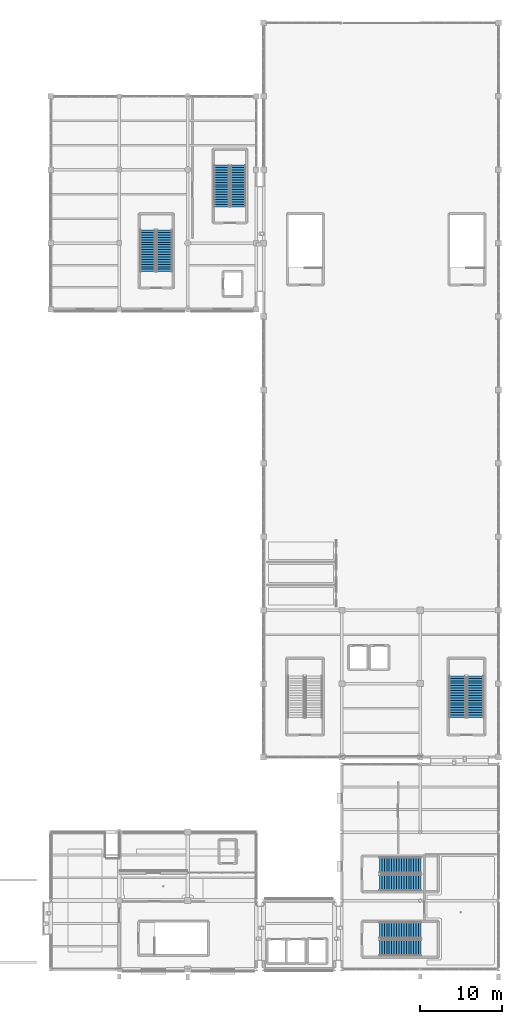
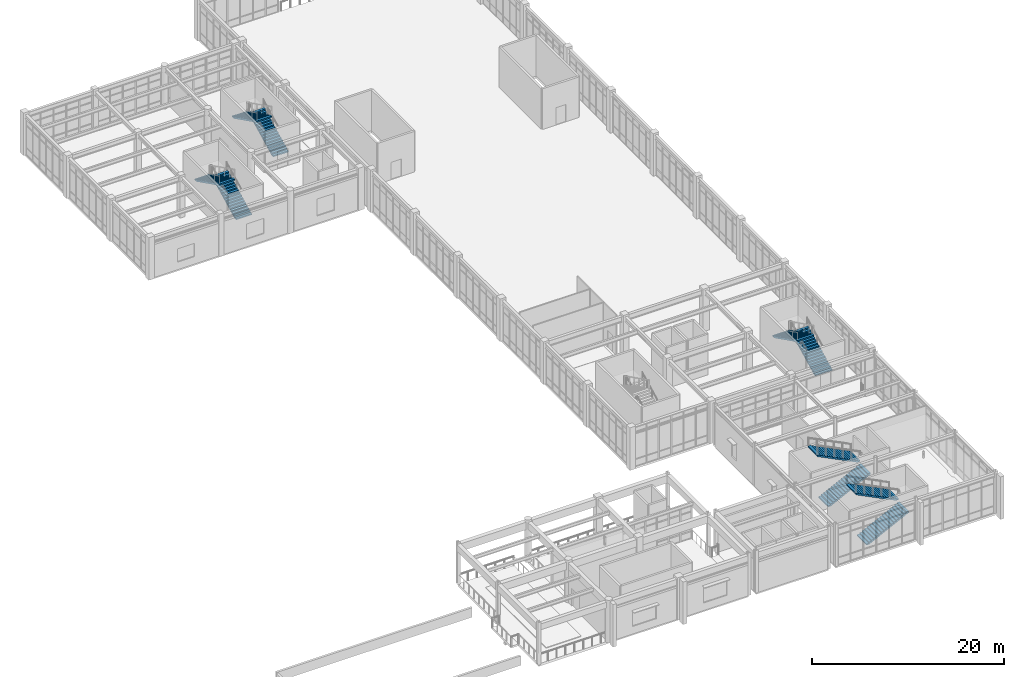
# One storey, part 68 of 80: 10 stair flights, 5 elements without a shape of their own.
"""IFC4 building model written with IfcOpenShell, lengths in metres."""

from ifc_helpers import new_model, si_unit, direction, frame, origin, place, context, subcontext, project, spatial, polyline, outline, extrude, material, layer, layer_set, type_object, element, aggregate, save


model = new_model("IFC4")

# Units and contexts
model_context = context("Model", 3, precision=1e-05, world=origin(), true_north=direction((0.0, 1.0)))
body_context = subcontext(model_context, "Body", "Model", "MODEL_VIEW")
ifc_project = project(units=[si_unit("LENGTHUNIT", "METRE"), si_unit("AREAUNIT", "SQUARE_METRE"), si_unit("VOLUMEUNIT", "CUBIC_METRE"), si_unit("PLANEANGLEUNIT", "RADIAN"), si_unit("MASSUNIT", "GRAM", prefix="KILO")], contexts=[model_context])

# Site, building, storey
site_placement = place(None, origin())
site = spatial("IfcSite", under=ifc_project, at=site_placement, CompositionType="ELEMENT")
building_placement = place(site_placement, origin())
building = spatial("IfcBuilding", under=site, at=building_placement, Name="Canglan Escarpment Cableway Terminal", CompositionType="ELEMENT")
storey_placement = place(building_placement, frame((0.0, 0.0, 19.199951171875)))
storey = spatial("IfcBuildingStorey", under=building, at=storey_placement, Name="L04", CompositionType="ELEMENT", Elevation=19.199951171875)

# Stair, stair flights
ifc_material = material(Name="Concrete C40", Category="concrete")
stair_type_1 = type_object("IfcStairType", Name="STR-DOGLEG-1850", PredefinedType="HALF_TURN_STAIR", material=ifc_material)
stair_1_placement = place(storey_placement, origin())
stair_1 = element("IfcStair", 1, at=stair_1_placement, inside=storey, type_object=stair_type_1, Name="L04 Protected Exit Stair ST-18", PredefinedType="HALF_TURN_STAIR")
ifc_layer_1 = layer(ifc_material, 0.14990234375, Name="Concrete C40")
ifc_layer_set_1 = layer_set([ifc_layer_1], Name="Concrete C40")
stair_flight_type_1 = type_object("IfcStairFlightType", Name="SFL-STRAIGHT-1850", PredefinedType="STRAIGHT", material=ifc_layer_set_1)
stair_flight_1_placement = place(storey_placement, frame((134.47509765625, 101.449951171875, 0.0), z_axis=(0.0, 0.0, 1.0), x_axis=(0.0, 1.0, 0.0)))
stair_flight_1 = element("IfcStairFlight", 2, at=stair_flight_1_placement, type_object=stair_flight_type_1, Name="ST-18 flight 1", NumberOfRisers=18, NumberOfTreads=17, PredefinedType="STRAIGHT", RiserHeight=0.15, TreadLength=0.3, context=body_context, shape_type="SweptSolid", body=[
    extrude(outline(polyline([(0.0, 0.0), (0.0, 0.14990234375), (0.300048828125, 0.14990234375), (0.300048828125, 0.300048828125), (0.60009765625, 0.300048828125), (0.60009765625, 0.449951171875), (0.89990234375, 0.449951171875), (0.89990234375, 0.60009765625), (1.199951171875, 0.60009765625), (1.199951171875, 0.75), (1.5, 0.75), (1.5, 0.89990234375), (1.800048828125, 0.89990234375), (1.800048828125, 1.050048828125), (2.10009765625, 1.050048828125), (2.10009765625, 1.199951171875), (2.39990234375, 1.199951171875), (2.39990234375, 1.35009765625), (2.699951171875, 1.35009765625), (2.699951171875, 1.5), (3.0, 1.5), (3.0, 1.64990234375), (3.300048828125, 1.64990234375), (3.300048828125, 1.800048828125), (3.60009765625, 1.800048828125), (3.60009765625, 1.949951171875), (3.89990234375, 1.949951171875), (3.89990234375, 2.10009765625), (4.199951171875, 2.10009765625), (4.199951171875, 2.25), (4.5, 2.25), (4.5, 2.39990234375), (4.800048828125, 2.39990234375), (4.800048828125, 2.550048828125), (5.10009765625, 2.550048828125), (5.10009765625, 2.699951171875), (5.10009765625, 2.38232421875), (0.335205078125, 0.0), (0.0, 0.0)])), frame((0.0, 0.925048828125, 0.0), z_axis=(0.0, -1.0, 0.0), x_axis=(1.0, 0.0, 0.0)), (0.0, 0.0, 1.0), 1.85009765625),
])
stair_flight_2_placement = place(storey_placement, frame((132.47509765625, 106.550048828125, 2.699951171875), z_axis=(0.0, 0.0, 1.0), x_axis=(0.0, -1.0, 0.0)))
stair_flight_2 = element("IfcStairFlight", 3, at=stair_flight_2_placement, type_object=stair_flight_type_1, Name="ST-18 flight 2", NumberOfRisers=18, NumberOfTreads=17, PredefinedType="STRAIGHT", RiserHeight=0.15, TreadLength=0.3, context=body_context, shape_type="SweptSolid", body=[
    extrude(outline(polyline([(0.0, 0.0), (0.0, 0.14990234375), (0.300048828125, 0.14990234375), (0.300048828125, 0.300048828125), (0.60009765625, 0.300048828125), (0.60009765625, 0.449951171875), (0.89990234375, 0.449951171875), (0.89990234375, 0.60009765625), (1.199951171875, 0.60009765625), (1.199951171875, 0.75), (1.5, 0.75), (1.5, 0.89990234375), (1.800048828125, 0.89990234375), (1.800048828125, 1.050048828125), (2.10009765625, 1.050048828125), (2.10009765625, 1.199951171875), (2.39990234375, 1.199951171875), (2.39990234375, 1.35009765625), (2.699951171875, 1.35009765625), (2.699951171875, 1.5), (3.0, 1.5), (3.0, 1.64990234375), (3.300048828125, 1.64990234375), (3.300048828125, 1.800048828125), (3.60009765625, 1.800048828125), (3.60009765625, 1.949951171875), (3.89990234375, 1.949951171875), (3.89990234375, 2.10009765625), (4.199951171875, 2.10009765625), (4.199951171875, 2.25), (4.5, 2.25), (4.5, 2.39990234375), (4.800048828125, 2.39990234375), (4.800048828125, 2.550048828125), (5.10009765625, 2.550048828125), (5.10009765625, 2.699951171875), (5.10009765625, 2.38232421875), (0.335205078125, 0.0), (0.0, 0.0)])), frame((0.0, 0.925048828125, 0.0), z_axis=(0.0, -1.0, 0.0), x_axis=(1.0, 0.0, 0.0)), (0.0, 0.0, 1.0), 1.85009765625),
])
aggregate(stair_1, [stair_flight_1, stair_flight_2])

stair_type_2 = type_object("IfcStairType", Name="STR-DOGLEG-1900", PredefinedType="HALF_TURN_STAIR", material=ifc_material)
stair_2_placement = place(storey_placement, origin())
stair_2 = element("IfcStair", 4, at=stair_2_placement, inside=storey, type_object=stair_type_2, Name="L04 Protected Exit Stair ST-12", PredefinedType="HALF_TURN_STAIR")
ifc_layer_2 = layer(ifc_material, 0.14990234375, Name="Concrete C40")
ifc_layer_set_2 = layer_set([ifc_layer_2], Name="Concrete C40")
stair_flight_type_2 = type_object("IfcStairFlightType", Name="SFL-STRAIGHT-1900", PredefinedType="STRAIGHT", material=ifc_layer_set_2)
stair_flight_3_placement = place(storey_placement, frame((125.449951171875, 93.5, 0.0), z_axis=(0.0, 0.0, 1.0), x_axis=(0.0, 1.0, 0.0)))
stair_flight_3 = element("IfcStairFlight", 5, at=stair_flight_3_placement, type_object=stair_flight_type_2, Name="ST-12 flight 1", NumberOfRisers=18, NumberOfTreads=17, PredefinedType="STRAIGHT", RiserHeight=0.15, TreadLength=0.3, context=body_context, shape_type="SweptSolid", body=[
    extrude(outline(polyline([(0.0, 0.0), (0.0, 0.14990234375), (0.300048828125, 0.14990234375), (0.300048828125, 0.300048828125), (0.60009765625, 0.300048828125), (0.60009765625, 0.449951171875), (0.89990234375, 0.449951171875), (0.89990234375, 0.60009765625), (1.199951171875, 0.60009765625), (1.199951171875, 0.75), (1.5, 0.75), (1.5, 0.89990234375), (1.800048828125, 0.89990234375), (1.800048828125, 1.050048828125), (2.10009765625, 1.050048828125), (2.10009765625, 1.199951171875), (2.39990234375, 1.199951171875), (2.39990234375, 1.35009765625), (2.699951171875, 1.35009765625), (2.699951171875, 1.5), (3.0, 1.5), (3.0, 1.64990234375), (3.300048828125, 1.64990234375), (3.300048828125, 1.800048828125), (3.60009765625, 1.800048828125), (3.60009765625, 1.949951171875), (3.89990234375, 1.949951171875), (3.89990234375, 2.10009765625), (4.199951171875, 2.10009765625), (4.199951171875, 2.25), (4.5, 2.25), (4.5, 2.39990234375), (4.800048828125, 2.39990234375), (4.800048828125, 2.550048828125), (5.10009765625, 2.550048828125), (5.10009765625, 2.699951171875), (5.10009765625, 2.38232421875), (0.335205078125, 0.0), (0.0, 0.0)])), frame((0.0, 0.949951171875, 0.0), z_axis=(0.0, -1.0, 0.0), x_axis=(1.0, 0.0, 0.0)), (0.0, 0.0, 1.0), 1.89990234375),
])
stair_flight_4_placement = place(storey_placement, frame((123.39990234375, 98.60009765625, 2.699951171875), z_axis=(0.0, 0.0, 1.0), x_axis=(0.0, -1.0, 0.0)))
stair_flight_4 = element("IfcStairFlight", 6, at=stair_flight_4_placement, type_object=stair_flight_type_2, Name="ST-12 flight 2", NumberOfRisers=18, NumberOfTreads=17, PredefinedType="STRAIGHT", RiserHeight=0.15, TreadLength=0.3, context=body_context, shape_type="SweptSolid", body=[
    extrude(outline(polyline([(0.0, 0.0), (0.0, 0.14990234375), (0.300048828125, 0.14990234375), (0.300048828125, 0.300048828125), (0.60009765625, 0.300048828125), (0.60009765625, 0.449951171875), (0.89990234375, 0.449951171875), (0.89990234375, 0.60009765625), (1.199951171875, 0.60009765625), (1.199951171875, 0.75), (1.5, 0.75), (1.5, 0.89990234375), (1.800048828125, 0.89990234375), (1.800048828125, 1.050048828125), (2.10009765625, 1.050048828125), (2.10009765625, 1.199951171875), (2.39990234375, 1.199951171875), (2.39990234375, 1.35009765625), (2.699951171875, 1.35009765625), (2.699951171875, 1.5), (3.0, 1.5), (3.0, 1.64990234375), (3.300048828125, 1.64990234375), (3.300048828125, 1.800048828125), (3.60009765625, 1.800048828125), (3.60009765625, 1.949951171875), (3.89990234375, 1.949951171875), (3.89990234375, 2.10009765625), (4.199951171875, 2.10009765625), (4.199951171875, 2.25), (4.5, 2.25), (4.5, 2.39990234375), (4.800048828125, 2.39990234375), (4.800048828125, 2.550048828125), (5.10009765625, 2.550048828125), (5.10009765625, 2.699951171875), (5.10009765625, 2.38232421875), (0.335205078125, 0.0), (0.0, 0.0)])), frame((0.0, 0.949951171875, 0.0), z_axis=(0.0, -1.0, 0.0), x_axis=(1.0, 0.0, 0.0)), (0.0, 0.0, 1.0), 1.89990234375),
])
aggregate(stair_2, [stair_flight_3, stair_flight_4])

stair_type_3 = type_object("IfcStairType", Name="STR-DOGLEG-2000", PredefinedType="HALF_TURN_STAIR", material=ifc_material)
stair_3_placement = place(storey_placement, origin())
stair_3 = element("IfcStair", 7, at=stair_3_placement, inside=storey, type_object=stair_type_3, Name="L04 Protected Exit Stair ST-08", PredefinedType="HALF_TURN_STAIR")
ifc_layer_3 = layer(ifc_material, 0.14990234375, Name="Concrete C40")
ifc_layer_set_3 = layer_set([ifc_layer_3], Name="Concrete C40")
stair_flight_type_3 = type_object("IfcStairFlightType", Name="SFL-STRAIGHT-2000", PredefinedType="STRAIGHT", material=ifc_layer_set_3)
stair_flight_5_placement = place(storey_placement, frame((151.800048828125, 10.60009765625, 0.0), z_axis=(0.0, 0.0, 1.0), x_axis=(1.0, 0.0, 0.0)))
stair_flight_5 = element("IfcStairFlight", 8, at=stair_flight_5_placement, type_object=stair_flight_type_3, Name="ST-08 flight 1", NumberOfRisers=18, NumberOfTreads=17, PredefinedType="STRAIGHT", RiserHeight=0.15, TreadLength=0.3, context=body_context, shape_type="SweptSolid", body=[
    extrude(outline(polyline([(0.0, 0.0), (0.0, 0.14990234375), (0.300048828125, 0.14990234375), (0.300048828125, 0.300048828125), (0.60009765625, 0.300048828125), (0.60009765625, 0.449951171875), (0.89990234375, 0.449951171875), (0.89990234375, 0.60009765625), (1.199951171875, 0.60009765625), (1.199951171875, 0.75), (1.5, 0.75), (1.5, 0.89990234375), (1.800048828125, 0.89990234375), (1.800048828125, 1.050048828125), (2.10009765625, 1.050048828125), (2.10009765625, 1.199951171875), (2.39990234375, 1.199951171875), (2.39990234375, 1.35009765625), (2.699951171875, 1.35009765625), (2.699951171875, 1.5), (3.0, 1.5), (3.0, 1.64990234375), (3.300048828125, 1.64990234375), (3.300048828125, 1.800048828125), (3.60009765625, 1.800048828125), (3.60009765625, 1.949951171875), (3.89990234375, 1.949951171875), (3.89990234375, 2.10009765625), (4.199951171875, 2.10009765625), (4.199951171875, 2.25), (4.5, 2.25), (4.5, 2.39990234375), (4.800048828125, 2.39990234375), (4.800048828125, 2.550048828125), (5.10009765625, 2.550048828125), (5.10009765625, 2.699951171875), (5.10009765625, 2.38232421875), (0.335205078125, 0.0), (0.0, 0.0)])), frame((0.0, 1.0, 0.0), z_axis=(0.0, -1.0, 0.0), x_axis=(1.0, 0.0, 0.0)), (0.0, 0.0, 1.0), 2.0),
])
stair_flight_6_placement = place(storey_placement, frame((156.89990234375, 12.75, 2.699951171875), z_axis=(0.0, 0.0, 1.0), x_axis=(-1.0, 0.0, 0.0)))
stair_flight_6 = element("IfcStairFlight", 9, at=stair_flight_6_placement, type_object=stair_flight_type_3, Name="ST-08 flight 2", NumberOfRisers=18, NumberOfTreads=17, PredefinedType="STRAIGHT", RiserHeight=0.15, TreadLength=0.3, context=body_context, shape_type="SweptSolid", body=[
    extrude(outline(polyline([(0.0, 0.0), (0.0, 0.14990234375), (0.300048828125, 0.14990234375), (0.300048828125, 0.300048828125), (0.60009765625, 0.300048828125), (0.60009765625, 0.449951171875), (0.89990234375, 0.449951171875), (0.89990234375, 0.60009765625), (1.199951171875, 0.60009765625), (1.199951171875, 0.75), (1.5, 0.75), (1.5, 0.89990234375), (1.800048828125, 0.89990234375), (1.800048828125, 1.050048828125), (2.10009765625, 1.050048828125), (2.10009765625, 1.199951171875), (2.39990234375, 1.199951171875), (2.39990234375, 1.35009765625), (2.699951171875, 1.35009765625), (2.699951171875, 1.5), (3.0, 1.5), (3.0, 1.64990234375), (3.300048828125, 1.64990234375), (3.300048828125, 1.800048828125), (3.60009765625, 1.800048828125), (3.60009765625, 1.949951171875), (3.89990234375, 1.949951171875), (3.89990234375, 2.10009765625), (4.199951171875, 2.10009765625), (4.199951171875, 2.25), (4.5, 2.25), (4.5, 2.39990234375), (4.800048828125, 2.39990234375), (4.800048828125, 2.550048828125), (5.10009765625, 2.550048828125), (5.10009765625, 2.699951171875), (5.10009765625, 2.38232421875), (0.335205078125, 0.0), (0.0, 0.0)])), frame((0.0, 1.0, 0.0), z_axis=(0.0, -1.0, 0.0), x_axis=(1.0, 0.0, 0.0)), (0.0, 0.0, 1.0), 2.0),
])
aggregate(stair_3, [stair_flight_5, stair_flight_6])

stair_4_placement = place(storey_placement, origin())
stair_4 = element("IfcStair", 10, at=stair_4_placement, inside=storey, type_object=stair_type_3, Name="L04 Protected Exit Stair ST-09", PredefinedType="HALF_TURN_STAIR")
stair_flight_7_placement = place(storey_placement, frame((151.800048828125, 18.60009765625, 0.0), z_axis=(0.0, 0.0, 1.0), x_axis=(1.0, 0.0, 0.0)))
stair_flight_7 = element("IfcStairFlight", 11, at=stair_flight_7_placement, type_object=stair_flight_type_3, Name="ST-09 flight 1", NumberOfRisers=18, NumberOfTreads=17, PredefinedType="STRAIGHT", RiserHeight=0.15, TreadLength=0.3, context=body_context, shape_type="SweptSolid", body=[
    extrude(outline(polyline([(0.0, 0.0), (0.0, 0.14990234375), (0.300048828125, 0.14990234375), (0.300048828125, 0.300048828125), (0.60009765625, 0.300048828125), (0.60009765625, 0.449951171875), (0.89990234375, 0.449951171875), (0.89990234375, 0.60009765625), (1.199951171875, 0.60009765625), (1.199951171875, 0.75), (1.5, 0.75), (1.5, 0.89990234375), (1.800048828125, 0.89990234375), (1.800048828125, 1.050048828125), (2.10009765625, 1.050048828125), (2.10009765625, 1.199951171875), (2.39990234375, 1.199951171875), (2.39990234375, 1.35009765625), (2.699951171875, 1.35009765625), (2.699951171875, 1.5), (3.0, 1.5), (3.0, 1.64990234375), (3.300048828125, 1.64990234375), (3.300048828125, 1.800048828125), (3.60009765625, 1.800048828125), (3.60009765625, 1.949951171875), (3.89990234375, 1.949951171875), (3.89990234375, 2.10009765625), (4.199951171875, 2.10009765625), (4.199951171875, 2.25), (4.5, 2.25), (4.5, 2.39990234375), (4.800048828125, 2.39990234375), (4.800048828125, 2.550048828125), (5.10009765625, 2.550048828125), (5.10009765625, 2.699951171875), (5.10009765625, 2.38232421875), (0.335205078125, 0.0), (0.0, 0.0)])), frame((0.0, 1.0, 0.0), z_axis=(0.0, -1.0, 0.0), x_axis=(1.0, 0.0, 0.0)), (0.0, 0.0, 1.0), 2.0),
])
stair_flight_8_placement = place(storey_placement, frame((156.89990234375, 20.75, 2.699951171875), z_axis=(0.0, 0.0, 1.0), x_axis=(-1.0, 0.0, 0.0)))
stair_flight_8 = element("IfcStairFlight", 12, at=stair_flight_8_placement, type_object=stair_flight_type_3, Name="ST-09 flight 2", NumberOfRisers=18, NumberOfTreads=17, PredefinedType="STRAIGHT", RiserHeight=0.15, TreadLength=0.3, context=body_context, shape_type="SweptSolid", body=[
    extrude(outline(polyline([(0.0, 0.0), (0.0, 0.14990234375), (0.300048828125, 0.14990234375), (0.300048828125, 0.300048828125), (0.60009765625, 0.300048828125), (0.60009765625, 0.449951171875), (0.89990234375, 0.449951171875), (0.89990234375, 0.60009765625), (1.199951171875, 0.60009765625), (1.199951171875, 0.75), (1.5, 0.75), (1.5, 0.89990234375), (1.800048828125, 0.89990234375), (1.800048828125, 1.050048828125), (2.10009765625, 1.050048828125), (2.10009765625, 1.199951171875), (2.39990234375, 1.199951171875), (2.39990234375, 1.35009765625), (2.699951171875, 1.35009765625), (2.699951171875, 1.5), (3.0, 1.5), (3.0, 1.64990234375), (3.300048828125, 1.64990234375), (3.300048828125, 1.800048828125), (3.60009765625, 1.800048828125), (3.60009765625, 1.949951171875), (3.89990234375, 1.949951171875), (3.89990234375, 2.10009765625), (4.199951171875, 2.10009765625), (4.199951171875, 2.25), (4.5, 2.25), (4.5, 2.39990234375), (4.800048828125, 2.39990234375), (4.800048828125, 2.550048828125), (5.10009765625, 2.550048828125), (5.10009765625, 2.699951171875), (5.10009765625, 2.38232421875), (0.335205078125, 0.0), (0.0, 0.0)])), frame((0.0, 1.0, 0.0), z_axis=(0.0, -1.0, 0.0), x_axis=(1.0, 0.0, 0.0)), (0.0, 0.0, 1.0), 2.0),
])
aggregate(stair_4, [stair_flight_7, stair_flight_8])

stair_type_4 = type_object("IfcStairType", Name="STR-DOGLEG-2050", PredefinedType="HALF_TURN_STAIR", material=ifc_material)
stair_5_placement = place(storey_placement, origin())
stair_5 = element("IfcStair", 13, at=stair_5_placement, inside=storey, type_object=stair_type_4, Name="L04 Protected Exit Stair ST-15", PredefinedType="HALF_TURN_STAIR")
ifc_layer_4 = layer(ifc_material, 0.14990234375, Name="Concrete C40")
ifc_layer_set_4 = layer_set([ifc_layer_4], Name="Concrete C40")
stair_flight_type_4 = type_object("IfcStairFlightType", Name="SFL-STRAIGHT-2050", PredefinedType="STRAIGHT", material=ifc_layer_set_4)
stair_flight_9_placement = place(storey_placement, frame((163.574951171875, 38.85009765625, 0.0), z_axis=(0.0, 0.0, 1.0), x_axis=(0.0, 1.0, 0.0)))
stair_flight_9 = element("IfcStairFlight", 14, at=stair_flight_9_placement, type_object=stair_flight_type_4, Name="ST-15 flight 1", NumberOfRisers=18, NumberOfTreads=17, PredefinedType="STRAIGHT", RiserHeight=0.15, TreadLength=0.3, context=body_context, shape_type="SweptSolid", body=[
    extrude(outline(polyline([(0.0, 0.0), (0.0, 0.14990234375), (0.300048828125, 0.14990234375), (0.300048828125, 0.300048828125), (0.60009765625, 0.300048828125), (0.60009765625, 0.449951171875), (0.89990234375, 0.449951171875), (0.89990234375, 0.60009765625), (1.199951171875, 0.60009765625), (1.199951171875, 0.75), (1.5, 0.75), (1.5, 0.89990234375), (1.800048828125, 0.89990234375), (1.800048828125, 1.050048828125), (2.10009765625, 1.050048828125), (2.10009765625, 1.199951171875), (2.39990234375, 1.199951171875), (2.39990234375, 1.35009765625), (2.699951171875, 1.35009765625), (2.699951171875, 1.5), (3.0, 1.5), (3.0, 1.64990234375), (3.300048828125, 1.64990234375), (3.300048828125, 1.800048828125), (3.60009765625, 1.800048828125), (3.60009765625, 1.949951171875), (3.89990234375, 1.949951171875), (3.89990234375, 2.10009765625), (4.199951171875, 2.10009765625), (4.199951171875, 2.25), (4.5, 2.25), (4.5, 2.39990234375), (4.800048828125, 2.39990234375), (4.800048828125, 2.550048828125), (5.10009765625, 2.550048828125), (5.10009765625, 2.699951171875), (5.10009765625, 2.38232421875), (0.335205078125, 0.0), (0.0, 0.0)])), frame((0.0, 1.02490234375, 0.0), z_axis=(0.0, -1.0, 0.0), x_axis=(1.0, 0.0, 0.0)), (0.0, 0.0, 1.0), 2.050048828125),
])
stair_flight_10_placement = place(storey_placement, frame((161.375, 43.949951171875, 2.699951171875), z_axis=(0.0, 0.0, 1.0), x_axis=(0.0, -1.0, 0.0)))
stair_flight_10 = element("IfcStairFlight", 15, at=stair_flight_10_placement, type_object=stair_flight_type_4, Name="ST-15 flight 2", NumberOfRisers=18, NumberOfTreads=17, PredefinedType="STRAIGHT", RiserHeight=0.15, TreadLength=0.3, context=body_context, shape_type="SweptSolid", body=[
    extrude(outline(polyline([(0.0, 0.0), (0.0, 0.14990234375), (0.300048828125, 0.14990234375), (0.300048828125, 0.300048828125), (0.60009765625, 0.300048828125), (0.60009765625, 0.449951171875), (0.89990234375, 0.449951171875), (0.89990234375, 0.60009765625), (1.199951171875, 0.60009765625), (1.199951171875, 0.75), (1.5, 0.75), (1.5, 0.89990234375), (1.800048828125, 0.89990234375), (1.800048828125, 1.050048828125), (2.10009765625, 1.050048828125), (2.10009765625, 1.199951171875), (2.39990234375, 1.199951171875), (2.39990234375, 1.35009765625), (2.699951171875, 1.35009765625), (2.699951171875, 1.5), (3.0, 1.5), (3.0, 1.64990234375), (3.300048828125, 1.64990234375), (3.300048828125, 1.800048828125), (3.60009765625, 1.800048828125), (3.60009765625, 1.949951171875), (3.89990234375, 1.949951171875), (3.89990234375, 2.10009765625), (4.199951171875, 2.10009765625), (4.199951171875, 2.25), (4.5, 2.25), (4.5, 2.39990234375), (4.800048828125, 2.39990234375), (4.800048828125, 2.550048828125), (5.10009765625, 2.550048828125), (5.10009765625, 2.699951171875), (5.10009765625, 2.38232421875), (0.335205078125, 0.0), (0.0, 0.0)])), frame((0.0, 1.02490234375, 0.0), z_axis=(0.0, -1.0, 0.0), x_axis=(1.0, 0.0, 0.0)), (0.0, 0.0, 1.0), 2.050048828125),
])
aggregate(stair_5, [stair_flight_9, stair_flight_10])

save(model, "model.ifc")
